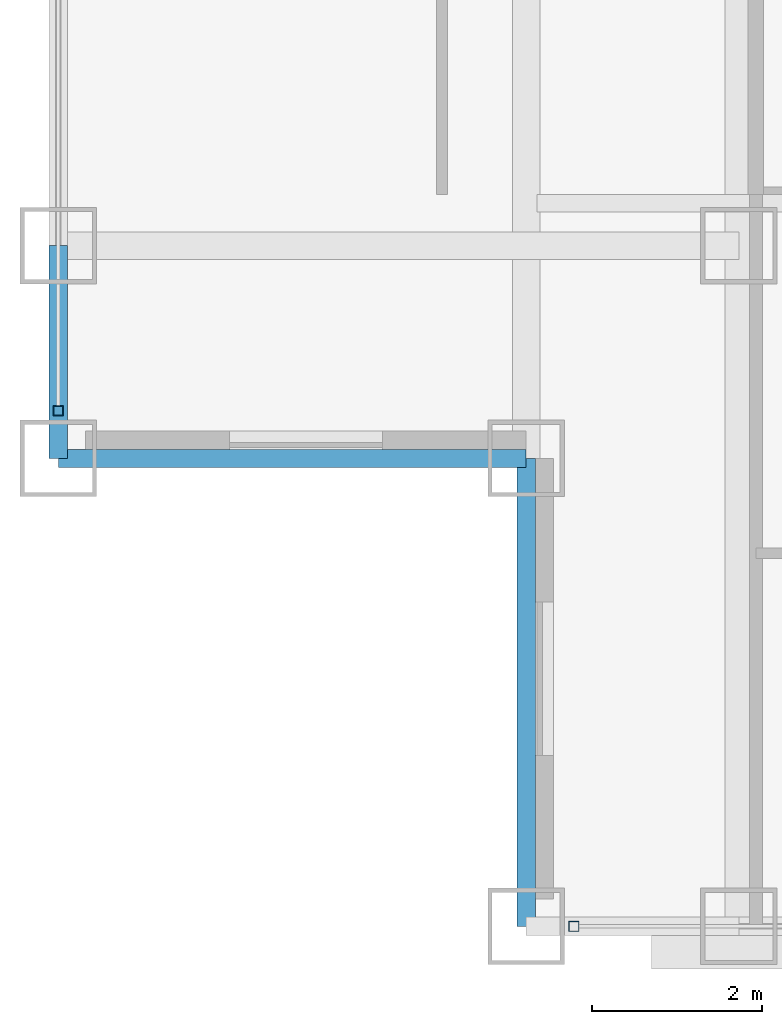
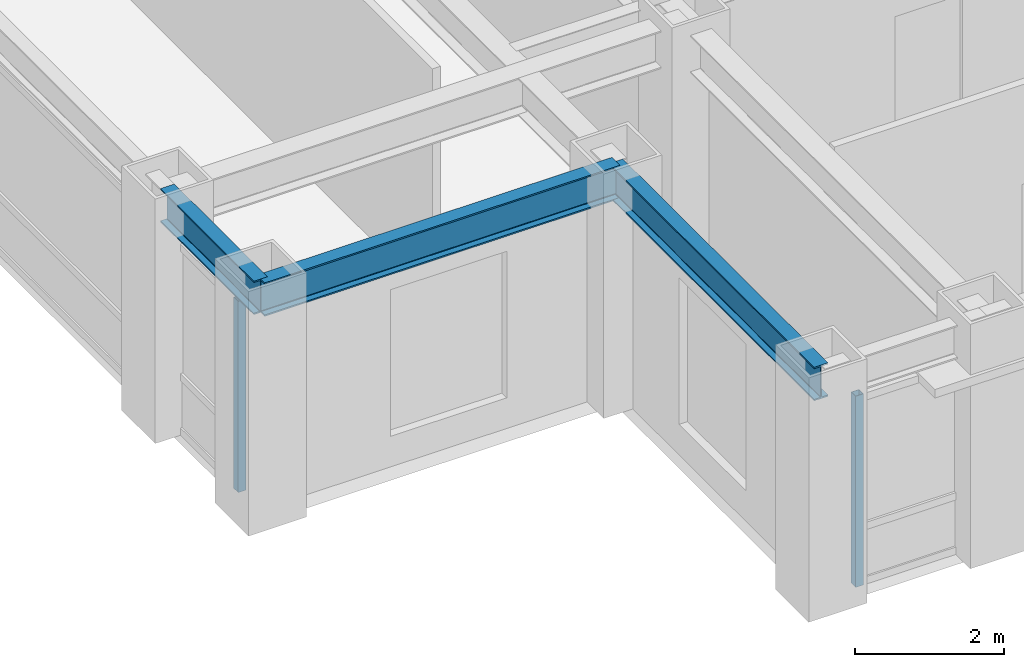
# One storey, part 2 of 27: 3 beams, 2 members, 2 elements without a shape of their own.
"""IFC4 building model written with IfcOpenShell, lengths in metres."""

from ifc_helpers import new_model, si_unit, direction, frame, origin, origin_2d, place, context, subcontext, project, spatial, hollow_rectangle, i_section, extrude, source, transform, mapped, material, material_profile, profile_set, type_object, element, aggregate, save


model = new_model("IFC4")

# Units and contexts
model_context = context("Model", 3, precision=1e-05, world=origin(), true_north=direction((0.0, 1.0)))
body_context = subcontext(model_context, "Body", "Model", "MODEL_VIEW")
ifc_project = project(units=[si_unit("LENGTHUNIT", "METRE"), si_unit("AREAUNIT", "SQUARE_METRE"), si_unit("VOLUMEUNIT", "CUBIC_METRE"), si_unit("PLANEANGLEUNIT", "RADIAN"), si_unit("MASSUNIT", "GRAM", prefix="KILO")], contexts=[model_context])

# Site, building, storey
site_placement = place(None, origin())
site = spatial("IfcSite", under=ifc_project, at=site_placement, CompositionType="ELEMENT")
building_placement = place(site_placement, origin())
building = spatial("IfcBuilding", under=site, at=building_placement, Name="Khorayat Bourse Tower", CompositionType="ELEMENT")
storey_placement = place(building_placement, frame((0.0, 0.0, 285.5)))
storey = spatial("IfcBuildingStorey", under=building, at=storey_placement, Name="L67", CompositionType="ELEMENT", Elevation=285.5)

# Beams
ifc_material_1 = material(Name="Steel ASTM A992 Grade 50", Category="steel")
ifc_material_profile_1 = material_profile(ifc_material_1, i_section(OverallWidth=0.214111328125, OverallDepth=0.549072265625, WebThickness=0.0146484375, FlangeThickness=0.023681640625, FilletRadius=0.013916015625, at=origin_2d()), Name="W530X138")
ifc_profile_set_1 = profile_set([ifc_material_profile_1], Name="Steel ASTM A992 Grade 50")
beam_type = type_object("IfcBeamType", Name="BM-SPAN-530", PredefinedType="SPANDREL", material=ifc_profile_set_1)
shared_shape_1 = source(origin(), body_context, "Body", "SweptSolid", [
    extrude(i_section(OverallWidth=0.214111328125, OverallDepth=0.549072265625, WebThickness=0.0146484375, FlangeThickness=0.023681640625, FilletRadius=0.013916015625, at=origin_2d()), origin(), (0.0, 0.0, 1.0), 2.5),
])
beam_placement = place(storey_placement, frame((-28.0, -22.5, 3.505615234375), z_axis=(0.0, 1.0, 0.0), x_axis=(-1.0, 0.0, 0.0)))
element("IfcBeam", 1, at=beam_placement, inside=storey, type_object=beam_type, Name="L67 BM-SPAN-530 BM-L67-SPN-061", PredefinedType="SPANDREL", context=body_context, shape_type="MappedRepresentation", body=[
    mapped(shared_shape_1, transform((0.0, 0.0, 0.0), scale=1.0)),
])
shared_shape_2 = source(origin(), body_context, "Body", "SweptSolid", [
    extrude(i_section(OverallWidth=0.214111328125, OverallDepth=0.549072265625, WebThickness=0.0146484375, FlangeThickness=0.023681640625, FilletRadius=0.013916015625, at=origin_2d()), origin(), (0.0, 0.0, 1.0), 5.5),
])
for number, where, z_axis, x_axis, name in (
    (2, (-28.0, -22.5, 3.505615234375), (1.0, 0.0, 0.0), (0.0, 1.0, 0.0), "L67 BM-SPAN-530 BM-L67-SPN-062"),
    (3, (-22.5, -28.0, 3.505615234375), (0.0, 1.0, 0.0), (-1.0, 0.0, 0.0), "L67 BM-SPAN-530 BM-L67-SPN-063"),
):
    element("IfcBeam", number, at=place(storey_placement, frame(where, z_axis=z_axis, x_axis=x_axis)), inside=storey, type_object=beam_type, Name=name, PredefinedType="SPANDREL", context=body_context, shape_type="MappedRepresentation", body=[
        mapped(shared_shape_2, transform((0.0, 0.0, 0.0), scale=1.0)),
    ])

# Curtain wall, member
ifc_material_2 = material(Name="Aluminium EN AW-6063 T6", Category="aluminium")
curtain_wall_type = type_object("IfcCurtainWallType", Name="CW-SYS-04", PredefinedType="NOTDEFINED", material=ifc_material_2)
curtain_wall_1_placement = place(storey_placement, origin())
curtain_wall_1 = element("IfcCurtainWall", 4, at=curtain_wall_1_placement, inside=storey, type_object=curtain_wall_type, Name="L67 Curtain Wall CW-L67-S1", PredefinedType="NOTDEFINED")
ifc_material_profile_2 = material_profile(ifc_material_2, hollow_rectangle(XDim=0.1201171875, YDim=0.1201171875, WallThickness=0.0048828125, at=origin_2d()), Name="ALU 120x120x5")
ifc_profile_set_2 = profile_set([ifc_material_profile_2], Name="Aluminium EN AW-6063 T6")
member_type = type_object("IfcMemberType", Name="CWM-VERT-120", PredefinedType="MULLION", material=ifc_profile_set_2)
shared_shape_3 = source(origin(), body_context, "Body", "SweptSolid", [
    extrude(hollow_rectangle(XDim=0.1201171875, YDim=0.1201171875, WallThickness=0.0048828125, at=origin_2d()), origin(), (0.0, 0.0, 1.0), 3.1298828125),
])
member_1_placement = place(storey_placement, frame((-21.93994140625, -28.0, 0.0), z_axis=(0.0, 0.0, 1.0), x_axis=(0.0, 1.0, 0.0)))
member_1 = element("IfcMember", 5, at=member_1_placement, type_object=member_type, Name="CW-L67-S1 Vertical Mullion 1", PredefinedType="MULLION", context=body_context, shape_type="MappedRepresentation", body=[
    mapped(shared_shape_3, transform((0.0, 0.0, 0.0), scale=1.0)),
])
aggregate(curtain_wall_1, [member_1])

curtain_wall_2_placement = place(storey_placement, origin())
curtain_wall_2 = element("IfcCurtainWall", 6, at=curtain_wall_2_placement, inside=storey, type_object=curtain_wall_type, Name="L67 Curtain Wall CW-L67-W1", PredefinedType="NOTDEFINED")
member_2_placement = place(storey_placement, frame((-28.0, -21.93994140625, 0.0), z_axis=(0.0, 0.0, 1.0), x_axis=(-1.0, 0.0, 0.0)))
member_2 = element("IfcMember", 7, at=member_2_placement, type_object=member_type, Name="CW-L67-W1 Vertical Mullion 1", PredefinedType="MULLION", context=body_context, shape_type="MappedRepresentation", body=[
    mapped(shared_shape_3, transform((0.0, 0.0, 0.0), scale=1.0)),
])
aggregate(curtain_wall_2, [member_2])

save(model, "model.ifc")
